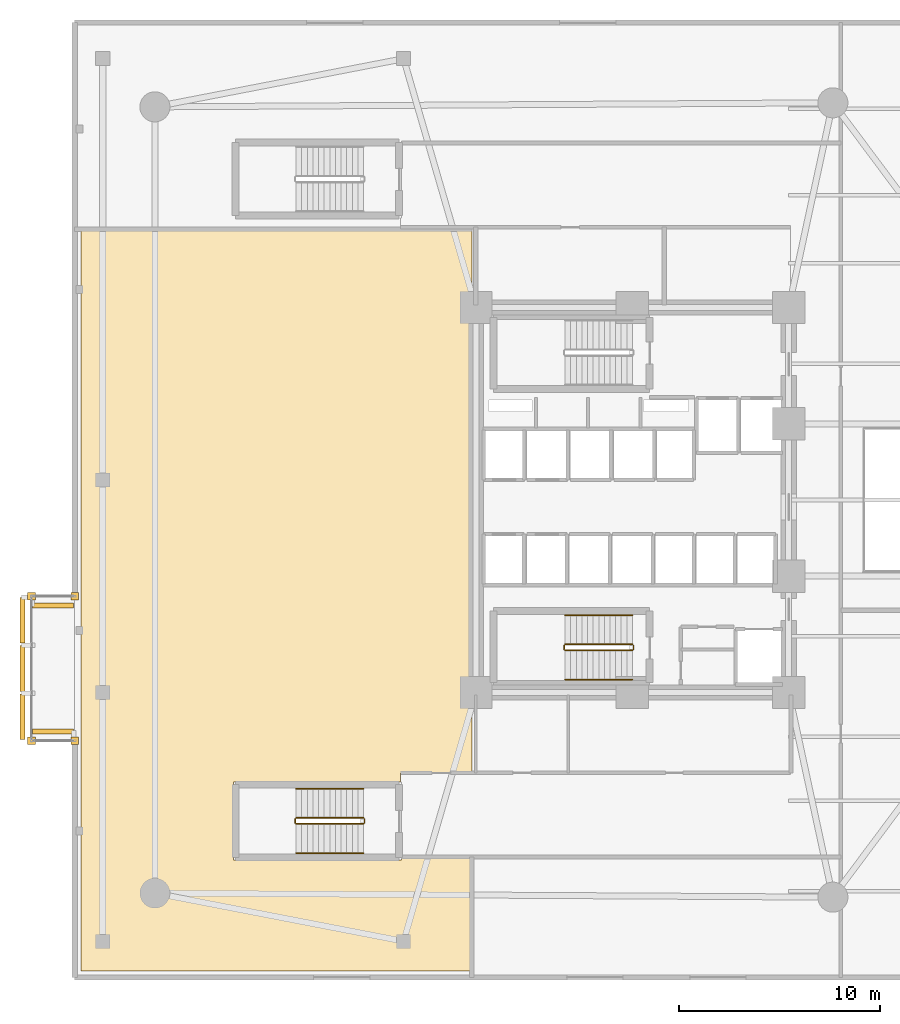
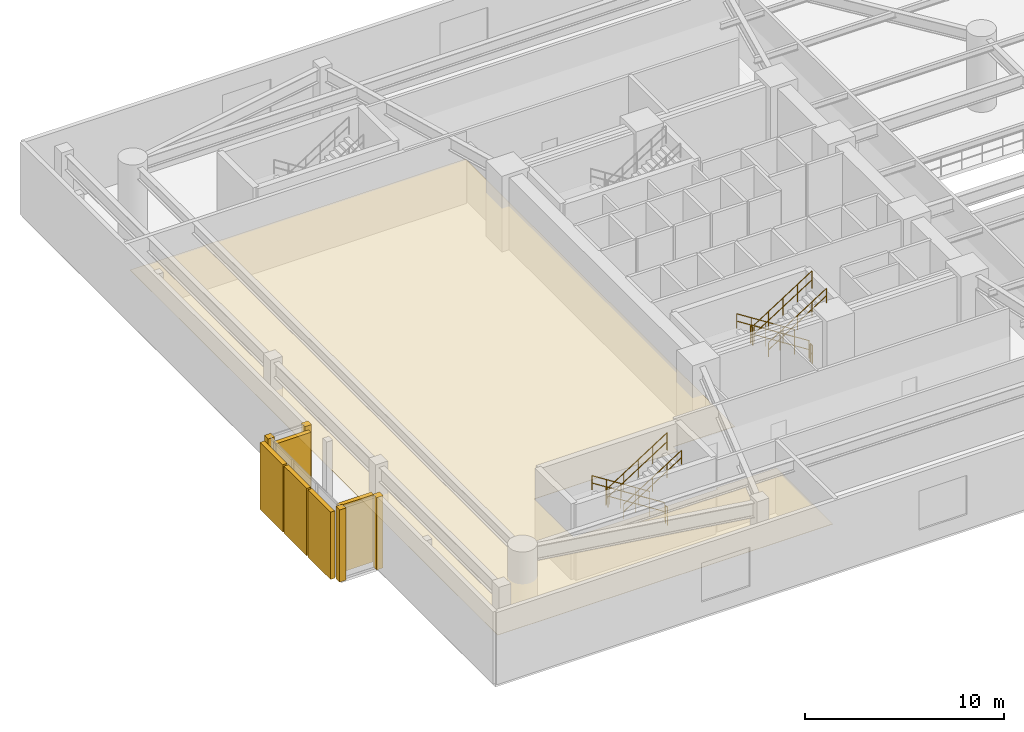
# One storey, part 14 of 16: 12 railings, 5 coverings, 5 shading devices.
"""IFC4 building model written with IfcOpenShell, lengths in metres."""

import ifcopenshell
import ifcopenshell.guid

model = None  # the IFC model being written
_history = None  # IfcOwnerHistory: only IFC2X3 demands one
_inside = {}  # id of a spatial element -> (the spatial element, [elements in it])
_under = {}  # id of a project, library or spatial element -> (it, [spatial elements below it])
_declared = {}  # id of a project -> (the project, [libraries it declares])
_typed = {}  # id of a type object -> (the type object, [elements of that type])
_made_of = {}  # id of a material, layer set ... -> (it, [elements and type objects made of it])


def new_model(schema):
    """Start an empty IFC model of exactly this schema.

    Asked for "IFC4X3", IfcOpenShell would pick the latest addendum, in which some entities
    have other attributes; the version numbers below select the first issue.
    IFC2X3 requires an IfcOwnerHistory on every rooted entity: one is made here for all.
    """
    global model, _history
    if schema == "IFC4X3":
        model = ifcopenshell.file(schema_version=(4, 3, 0, 0))
    else:
        model = ifcopenshell.file(schema=schema)
    _inside.clear()
    _under.clear()
    _declared.clear()
    _typed.clear()
    _made_of.clear()
    _history = None
    if model.schema == "IFC2X3":
        org = make("IfcOrganization", Name="unknown")
        user = make(
            "IfcPersonAndOrganization",
            ThePerson=make("IfcPerson", FamilyName="unknown"),
            TheOrganization=org,
        )
        app = make(
            "IfcApplication",
            ApplicationDeveloper=org,
            Version="unknown",
            ApplicationFullName="unknown",
            ApplicationIdentifier="unknown",
        )
        _history = make(
            "IfcOwnerHistory",
            OwningUser=user,
            OwningApplication=app,
            ChangeAction="ADDED",
            CreationDate=0,
        )
    return model


def make(cls, **values):
    """One entity of the class cls with the attributes given. An attribute that is None is left unset."""
    return model.create_entity(
        cls, **{name: value for name, value in values.items() if value is not None}
    )


def rooted(cls, **values):
    """An entity with a GlobalId (a new one), such as an element, a storey or a relation."""
    return make(cls, GlobalId=ifcopenshell.guid.new(), OwnerHistory=_history, **values)


def si_unit(unit_type, name, prefix=None):
    """IfcSIUnit, for example si_unit("LENGTHUNIT", "METRE", prefix="MILLI")."""
    return make("IfcSIUnit", UnitType=unit_type, Prefix=prefix, Name=name)


def assignment(units):
    """IfcUnitAssignment: the units of a project."""
    return None if units is None else make("IfcUnitAssignment", Units=units)


def point(xyz):
    """IfcCartesianPoint."""
    return None if xyz is None else make("IfcCartesianPoint", Coordinates=xyz)


def direction(xyz):
    """IfcDirection."""
    return None if xyz is None else make("IfcDirection", DirectionRatios=xyz)


def frame(location, z_axis=None, x_axis=None):
    """IfcAxis2Placement3D, a coordinate frame: its origin and axes. An axis left out is left unset."""
    return make(
        "IfcAxis2Placement3D",
        Location=point(location),
        Axis=direction(z_axis),
        RefDirection=direction(x_axis),
    )


def frame_2d(location, x_axis=None):
    """IfcAxis2Placement2D, a coordinate frame in the plane: its origin and x axis."""
    return make(
        "IfcAxis2Placement2D", Location=point(location), RefDirection=direction(x_axis)
    )


def origin():
    """The frame at (0, 0, 0) with its axes left unset."""
    return frame((0.0, 0.0, 0.0))


def origin_2d():
    """The frame at (0, 0) in the plane with its x axis left unset."""
    return frame_2d((0.0, 0.0))


def place(relative_to, where):
    """IfcLocalPlacement: puts the frame where relative to a parent placement (None: the world)."""
    return make(
        "IfcLocalPlacement", PlacementRelTo=relative_to, RelativePlacement=where
    )


def context(
    kind, dimensions, precision=None, world=None, true_north=None, identifier=None
):
    """IfcGeometricRepresentationContext, for example the 3D "Model" context."""
    return make(
        "IfcGeometricRepresentationContext",
        ContextIdentifier=identifier,
        ContextType=kind,
        CoordinateSpaceDimension=dimensions,
        Precision=precision,
        WorldCoordinateSystem=world,
        TrueNorth=true_north,
    )


def subcontext(parent, identifier, kind, view, scale=None):
    """IfcGeometricRepresentationSubContext, for example "Body" below "Model"."""
    return make(
        "IfcGeometricRepresentationSubContext",
        ContextIdentifier=identifier,
        ContextType=kind,
        ParentContext=parent,
        TargetScale=scale,
        TargetView=view,
    )


def project(units=None, contexts=None):
    """IfcProject with its units and contexts."""
    return rooted(
        "IfcProject",
        Name="project",
        RepresentationContexts=contexts,
        UnitsInContext=assignment(units),
    )


def spatial(cls, under=None, at=None, **own):
    """A site, building, storey or space (cls), placed at a placement, below another one or the project."""
    s = rooted(cls, ObjectPlacement=at, **own)
    if under is not None:
        _under.setdefault(under.id(), (under, []))[1].append(s)
    return s


def polyline(points):
    """IfcPolyline through the points."""
    return make("IfcPolyline", Points=[point(p) for p in points])


def profile(cls, at=None, kind="AREA", **sizes):
    """A parametric profile (cls). Its sizes go by their IFC names, for example OverallWidth=200.0."""
    return make(cls, ProfileType=kind, Position=at, **sizes)


def rectangle(**sizes):
    """IfcRectangleProfileDef."""
    return profile("IfcRectangleProfileDef", **sizes)


def circle(**sizes):
    """IfcCircleProfileDef."""
    return profile("IfcCircleProfileDef", **sizes)


def outline(outer, holes=None, kind="AREA"):
    """IfcArbitraryClosedProfileDef: a profile drawn as a closed curve; with holes, ...WithVoids."""
    if holes is None:
        return make("IfcArbitraryClosedProfileDef", ProfileType=kind, OuterCurve=outer)
    return make(
        "IfcArbitraryProfileDefWithVoids",
        ProfileType=kind,
        OuterCurve=outer,
        InnerCurves=holes,
    )


def extrude(swept, where, along, depth):
    """IfcExtrudedAreaSolid: the profile swept, set in the frame where, extruded along a direction by depth."""
    return make(
        "IfcExtrudedAreaSolid",
        SweptArea=swept,
        Position=where,
        ExtrudedDirection=direction(along),
        Depth=depth,
    )


def shape(context_of_items, identifier, shape_type, items):
    """IfcShapeRepresentation: the items that make up one representation, for example the "Body"."""
    return make(
        "IfcShapeRepresentation",
        ContextOfItems=context_of_items,
        RepresentationIdentifier=identifier,
        RepresentationType=shape_type,
        Items=items,
    )


def material(Name=None, Category=None):
    """IfcMaterial."""
    return make("IfcMaterial", Name=Name, Category=Category)


def layer(
    of_material, thickness, ventilated=None, Name=None, Category=None, Priority=None
):
    """IfcMaterialLayer: one layer of a wall or slab, of a material (None: an air gap)."""
    return make(
        "IfcMaterialLayer",
        Material=of_material,
        LayerThickness=thickness,
        IsVentilated=ventilated,
        Name=Name,
        Category=Category,
        Priority=Priority,
    )


def layer_set(layers, Name=None):
    """IfcMaterialLayerSet."""
    return make("IfcMaterialLayerSet", MaterialLayers=layers, LayerSetName=Name)


def made_of(thing, what):
    """Note that an element or type object is made of a material, layer set ...; save() writes the relation."""
    if what is not None:
        _made_of.setdefault(what.id(), (what, []))[1].append(thing)
    return thing


def type_object(cls, material=None, **own):
    """A type object (cls), such as IfcWallType, which elements share."""
    return made_of(rooted(cls, **own), material)


def element(
    cls,
    number,
    at=None,
    inside=None,
    cuts=None,
    type_object=None,
    material=None,
    context=None,
    identifier="Body",
    shape_type=None,
    held_by="IfcProductDefinitionShape",
    body=None,
    shapes=None,
    **own,
):
    """One element of the class cls, such as IfcWall. Its Tag is "e" and its number.

    at: its placement. inside: the storey or other place that contains it. cuts: it is an
    opening in that element (IfcRelVoidsElement). A single representation is given by context,
    identifier, shape_type and body (its items); several are given by shapes. held_by: the class
    of the entity that holds the representations. save() writes the other relations.
    """
    e = rooted(cls, Tag="e%d" % number, ObjectPlacement=at, **own)
    if body is not None:
        shapes = [shape(context, identifier, shape_type, body)]
    if shapes is not None:
        e.Representation = make(held_by, Representations=shapes)
    if inside is not None:
        _inside.setdefault(inside.id(), (inside, []))[1].append(e)
    if cuts is not None:
        rooted(
            "IfcRelVoidsElement", RelatingBuildingElement=cuts, RelatedOpeningElement=e
        )
    if type_object is not None:
        _typed.setdefault(type_object.id(), (type_object, []))[1].append(e)
    return made_of(e, material)


def aggregate(whole, parts):
    """IfcRelAggregates: a whole, such as a stair, and the parts it consists of."""
    return rooted("IfcRelAggregates", RelatingObject=whole, RelatedObjects=parts)


def save(model, path):
    """Write the relations noted so far, then the file.

    IfcRelAggregates (storeys below a building ...), IfcRelContainedInSpatialStructure (elements
    in a storey), IfcRelDefinesByType, IfcRelAssociatesMaterial and IfcRelDeclares: one each for
    every whole, place, type object, material and project.
    """
    for whole, parts in _under.values():
        aggregate(whole, parts)
    for where, things in _inside.values():
        rooted(
            "IfcRelContainedInSpatialStructure",
            RelatedElements=things,
            RelatingStructure=where,
        )
    for kind, things in _typed.values():
        rooted("IfcRelDefinesByType", RelatedObjects=things, RelatingType=kind)
    for what, things in _made_of.values():
        rooted("IfcRelAssociatesMaterial", RelatedObjects=things, RelatingMaterial=what)
    for by, libraries in _declared.values():
        rooted("IfcRelDeclares", RelatingContext=by, RelatedDefinitions=libraries)
    model.write(path)


model = new_model("IFC4")

# Units and contexts
model_context = context("Model", 3, precision=1e-05, world=origin(), true_north=direction((0.0, 1.0)))
body_context = subcontext(model_context, "Body", "Model", "MODEL_VIEW")
ifc_project = project(units=[si_unit("LENGTHUNIT", "METRE"), si_unit("AREAUNIT", "SQUARE_METRE"), si_unit("VOLUMEUNIT", "CUBIC_METRE"), si_unit("PLANEANGLEUNIT", "RADIAN"), si_unit("MASSUNIT", "GRAM", prefix="KILO")], contexts=[model_context])

# Site, building, storey
site_placement = place(None, origin())
site = spatial("IfcSite", under=ifc_project, at=site_placement, CompositionType="ELEMENT")
building_placement = place(site_placement, origin())
building = spatial("IfcBuilding", under=site, at=building_placement, Name="An Khanh Terracotta Commons", CompositionType="ELEMENT")
storey_placement = place(building_placement, frame((0.0, 0.0, 5.39990234375)))
storey = spatial("IfcBuildingStorey", under=building, at=storey_placement, Name="L02", CompositionType="ELEMENT", Elevation=5.39990234375)

# Coverings
ifc_material_1 = material(Name="Perforated Mineral-Fibre Acoustic Tile")
ifc_layer_1 = layer(ifc_material_1, 0.02001953125, Name="Perforated Mineral-Fibre Acoustic Tile")
ifc_layer_set_1 = layer_set([ifc_layer_1], Name="Perforated Mineral-Fibre Acoustic Tile")
covering_type_1 = type_object("IfcCoveringType", Name="CEIL-ACOUSTIC-18", PredefinedType="CEILING", material=ifc_layer_set_1)
covering_placement = place(storey_placement, frame((0.0, 0.0, 2.650146484375)))
element("IfcCovering", 1, at=covering_placement, inside=storey, type_object=covering_type_1, Name="L02 Collaborative Coworking Commons Ceiling", PredefinedType="CEILING", context=body_context, shape_type="SweptSolid", body=[
    extrude(outline(polyline([(1.919921875, 0.52001953125), (1.919921875, 37.5), (21.39990234375, 37.5), (21.39990234375, 10.39990234375), (17.85009765625, 10.39990234375), (17.85009765625, 9.93994140625), (9.510009765625, 9.93994140625), (9.510009765625, 6.06005859375), (17.889892578125, 6.06005859375), (17.889892578125, 6.199951171875), (21.39990234375, 6.199951171875), (21.39990234375, 0.52001953125), (1.919921875, 0.52001953125)])), origin(), (0.0, 0.0, 1.0), 0.02001953125),
])
ifc_material_2 = material(Name="Fired Terracotta Rainscreen Cladding", Category="masonry")
ifc_layer_2 = layer(ifc_material_2, 0.080078125, Name="Fired Terracotta Rainscreen Cladding")
ifc_layer_set_2 = layer_set([ifc_layer_2], Name="Fired Terracotta Rainscreen Cladding")
covering_type_2 = type_object("IfcCoveringType", Name="COV-JAMB-TERRA", PredefinedType="CLADDING", material=ifc_layer_set_2)
for number, where, z_axis, x_axis, name in (
    (2, (-0.550048828125, 19.199951171875, 0.0), (0.0, 0.0, 1.0), (1.0, 0.0, 0.0), "L02 CW-04 Curtain-Wall Jamb Closure JA"),
    (3, (-0.550048828125, 12.0, 0.0), (0.0, 0.0, 1.0), (1.0, 0.0, 0.0), "L02 CW-04 Curtain-Wall Jamb Closure JB"),
    (4, (1.60009765625, 12.0, 0.0), (0.0, 0.0, 1.0), (1.0, 0.0, 0.0), "L02 CW-04 Curtain-Wall Jamb Closure JA"),
    (5, (1.60009765625, 19.199951171875, 0.0), (0.0, 0.0, 1.0), (1.0, 0.0, 0.0), "L02 CW-04 Curtain-Wall Jamb Closure JB"),
):
    element("IfcCovering", number, at=place(storey_placement, frame(where, z_axis=z_axis, x_axis=x_axis)), inside=storey, type_object=covering_type_2, Name=name, PredefinedType="CLADDING", context=body_context, shape_type="SweptSolid", body=[
        extrude(rectangle(XDim=0.3798828125, YDim=0.3798828125, at=origin_2d()), origin(), (0.0, 0.0, 1.0), 4.429931640625),
    ])

# Railings
ifc_material_3 = material(Name="Brushed Stainless Steel 316", Category="steel")
railing_type_1 = type_object("IfcRailingType", Name="RAIL-HANDRAIL-900", PredefinedType="HANDRAIL", material=ifc_material_3)
railing_1_placement = place(storey_placement, frame((29.409912109375, 18.25, 0.178955078125)))
element("IfcRailing", 6, at=railing_1_placement, inside=storey, type_object=railing_type_1, Name="L02 ST-02 stair handrail 1", PredefinedType="HANDRAIL", context=body_context, shape_type="SweptSolid", body=[
    extrude(circle(Radius=0.02392578125, at=origin_2d()), frame((0.0, 0.0, 0.8759765625), z_axis=(-0.842734844946, 0.0, 0.538328878209), x_axis=(0.0, -1.0, 0.0)), (0.0, 0.0, 1.0), 3.98681640625),
    extrude(circle(Radius=0.02392578125, at=origin_2d()), frame((0.0, 0.0, 0.42578125), z_axis=(-0.842734844946, 0.0, 0.538328878209), x_axis=(0.0, -1.0, 0.0)), (0.0, 0.0, 1.0), 3.98681640625),
    extrude(circle(Radius=0.02099609375, at=origin_2d()), origin(), (0.0, 0.0, 1.0), 0.851806640625),
    extrude(circle(Radius=0.02099609375, at=origin_2d()), frame((-0.83984375, 0.0, 0.53662109375)), (0.0, 0.0, 1.0), 0.851806640625),
    extrude(circle(Radius=0.02099609375, at=origin_2d()), frame((-1.679931640625, 0.0, 1.0732421875)), (0.0, 0.0, 1.0), 0.851806640625),
    extrude(circle(Radius=0.02099609375, at=origin_2d()), frame((-2.52001953125, 0.0, 1.609619140625)), (0.0, 0.0, 1.0), 0.851806640625),
    extrude(circle(Radius=0.02099609375, at=origin_2d()), frame((-3.35986328125, 0.0, 2.146240234375)), (0.0, 0.0, 1.0), 0.851806640625),
])
railing_2_placement = place(storey_placement, frame((26.050048828125, 15.050048828125, 2.50390625)))
element("IfcRailing", 7, at=railing_2_placement, inside=storey, type_object=railing_type_1, Name="L02 ST-02 stair handrail 2", PredefinedType="HANDRAIL", context=body_context, shape_type="SweptSolid", body=[
    extrude(circle(Radius=0.02392578125, at=origin_2d()), frame((0.0, 0.0, 0.8759765625), z_axis=(0.842734844946, 0.0, 0.538328878209), x_axis=(0.0, 1.0, 0.0)), (0.0, 0.0, 1.0), 3.98681640625),
    extrude(circle(Radius=0.02392578125, at=origin_2d()), frame((0.0, 0.0, 0.42578125), z_axis=(0.842734844946, 0.0, 0.538328878209), x_axis=(0.0, 1.0, 0.0)), (0.0, 0.0, 1.0), 3.98681640625),
    extrude(circle(Radius=0.02099609375, at=origin_2d()), origin(), (0.0, 0.0, 1.0), 0.851806640625),
    extrude(circle(Radius=0.02099609375, at=origin_2d()), frame((0.83984375, 0.0, 0.53662109375)), (0.0, 0.0, 1.0), 0.851806640625),
    extrude(circle(Radius=0.02099609375, at=origin_2d()), frame((1.679931640625, 0.0, 1.0732421875)), (0.0, 0.0, 1.0), 0.851806640625),
    extrude(circle(Radius=0.02099609375, at=origin_2d()), frame((2.52001953125, 0.0, 1.609619140625)), (0.0, 0.0, 1.0), 0.851806640625),
    extrude(circle(Radius=0.02099609375, at=origin_2d()), frame((3.35986328125, 0.0, 2.146240234375)), (0.0, 0.0, 1.0), 0.851806640625),
])
railing_3_placement = place(storey_placement, frame((16.0, 9.60009765625, 0.178955078125)))
element("IfcRailing", 8, at=railing_3_placement, inside=storey, type_object=railing_type_1, Name="L02 ST-P1 stair handrail 1", PredefinedType="HANDRAIL", context=body_context, shape_type="SweptSolid", body=[
    extrude(circle(Radius=0.02392578125, at=origin_2d()), frame((0.0, 0.0, 0.8759765625), z_axis=(-0.842752589747, 0.0, 0.538301098341), x_axis=(0.0, -1.0, 0.0)), (0.0, 0.0, 1.0), 3.987060546875),
    extrude(circle(Radius=0.02392578125, at=origin_2d()), frame((0.0, 0.0, 0.42578125), z_axis=(-0.842752589747, 0.0, 0.538301098341), x_axis=(0.0, -1.0, 0.0)), (0.0, 0.0, 1.0), 3.987060546875),
    extrude(circle(Radius=0.02099609375, at=origin_2d()), origin(), (0.0, 0.0, 1.0), 0.851806640625),
    extrude(circle(Radius=0.02099609375, at=origin_2d()), frame((-0.840087890625, 0.0, 0.53662109375)), (0.0, 0.0, 1.0), 0.851806640625),
    extrude(circle(Radius=0.02099609375, at=origin_2d()), frame((-1.68017578125, 0.0, 1.0732421875)), (0.0, 0.0, 1.0), 0.851806640625),
    extrude(circle(Radius=0.02099609375, at=origin_2d()), frame((-2.52001953125, 0.0, 1.609619140625)), (0.0, 0.0, 1.0), 0.851806640625),
    extrude(circle(Radius=0.02099609375, at=origin_2d()), frame((-3.360107421875, 0.0, 2.146240234375)), (0.0, 0.0, 1.0), 0.851806640625),
])
railing_4_placement = place(storey_placement, frame((12.639892578125, 6.39990234375, 2.50390625)))
element("IfcRailing", 9, at=railing_4_placement, inside=storey, type_object=railing_type_1, Name="L02 ST-P1 stair handrail 2", PredefinedType="HANDRAIL", context=body_context, shape_type="SweptSolid", body=[
    extrude(circle(Radius=0.02392578125, at=origin_2d()), frame((0.0, 0.0, 0.8759765625), z_axis=(0.842752589747, 0.0, 0.538301098341), x_axis=(0.0, 1.0, 0.0)), (0.0, 0.0, 1.0), 3.987060546875),
    extrude(circle(Radius=0.02392578125, at=origin_2d()), frame((0.0, 0.0, 0.42578125), z_axis=(0.842752589747, 0.0, 0.538301098341), x_axis=(0.0, 1.0, 0.0)), (0.0, 0.0, 1.0), 3.987060546875),
    extrude(circle(Radius=0.02099609375, at=origin_2d()), origin(), (0.0, 0.0, 1.0), 0.851806640625),
    extrude(circle(Radius=0.02099609375, at=origin_2d()), frame((0.840087890625, 0.0, 0.53662109375)), (0.0, 0.0, 1.0), 0.851806640625),
    extrude(circle(Radius=0.02099609375, at=origin_2d()), frame((1.68017578125, 0.0, 1.0732421875)), (0.0, 0.0, 1.0), 0.851806640625),
    extrude(circle(Radius=0.02099609375, at=origin_2d()), frame((2.52001953125, 0.0, 1.609619140625)), (0.0, 0.0, 1.0), 0.851806640625),
    extrude(circle(Radius=0.02099609375, at=origin_2d()), frame((3.360107421875, 0.0, 2.146240234375)), (0.0, 0.0, 1.0), 0.851806640625),
])
ifc_material_4 = material(Name="Powder-Coated Steel S355J2", Category="steel")
railing_type_2 = type_object("IfcRailingType", Name="RAIL-STAIR-GUARD-1100", PredefinedType="BALUSTRADE", material=ifc_material_4)
railing_5_placement = place(storey_placement, frame((29.409912109375, 16.800048828125, 0.178955078125)))
element("IfcRailing", 10, at=railing_5_placement, inside=storey, type_object=railing_type_2, Name="L02 ST-02 stair guard 1", PredefinedType="BALUSTRADE", context=body_context, shape_type="SweptSolid", body=[
    extrude(circle(Radius=0.02392578125, at=origin_2d()), frame((0.0, 0.0, 1.076171875), z_axis=(-0.842734844946, 0.0, 0.538328878209), x_axis=(0.0, -1.0, 0.0)), (0.0, 0.0, 1.0), 3.98681640625),
    extrude(circle(Radius=0.02392578125, at=origin_2d()), frame((0.0, 0.0, 0.52587890625), z_axis=(-0.842734844946, 0.0, 0.538328878209), x_axis=(0.0, -1.0, 0.0)), (0.0, 0.0, 1.0), 3.98681640625),
    extrude(circle(Radius=0.02099609375, at=origin_2d()), origin(), (0.0, 0.0, 1.0), 1.052001953125),
    extrude(circle(Radius=0.02099609375, at=origin_2d()), frame((-0.83984375, 0.0, 0.53662109375)), (0.0, 0.0, 1.0), 1.052001953125),
    extrude(circle(Radius=0.02099609375, at=origin_2d()), frame((-1.679931640625, 0.0, 1.0732421875)), (0.0, 0.0, 1.0), 1.052001953125),
    extrude(circle(Radius=0.02099609375, at=origin_2d()), frame((-2.52001953125, 0.0, 1.609619140625)), (0.0, 0.0, 1.0), 1.052001953125),
    extrude(circle(Radius=0.02099609375, at=origin_2d()), frame((-3.35986328125, 0.0, 2.146240234375)), (0.0, 0.0, 1.0), 1.052001953125),
])
railing_6_placement = place(storey_placement, frame((26.0, 16.75, 2.3251953125)))
element("IfcRailing", 11, at=railing_6_placement, inside=storey, type_object=railing_type_2, Name="L02 ST-02 stair guard 2", PredefinedType="BALUSTRADE", context=body_context, shape_type="SweptSolid", body=[
    extrude(circle(Radius=0.02392578125, at=origin_2d()), frame((0.0, 0.0, 1.076171875), z_axis=(0.0, -1.0, 0.0), x_axis=(1.0, 0.0, 0.0)), (0.0, 0.0, 1.0), 0.199951171875),
    extrude(circle(Radius=0.02392578125, at=origin_2d()), frame((0.0, 0.0, 0.52587890625), z_axis=(0.0, -1.0, 0.0), x_axis=(1.0, 0.0, 0.0)), (0.0, 0.0, 1.0), 0.199951171875),
    extrude(circle(Radius=0.02099609375, at=origin_2d()), origin(), (0.0, 0.0, 1.0), 1.052001953125),
    extrude(circle(Radius=0.02099609375, at=origin_2d()), frame((0.0, -0.199951171875, 0.0)), (0.0, 0.0, 1.0), 1.052001953125),
])
railing_7_placement = place(storey_placement, frame((26.050048828125, 16.5, 2.50390625)))
element("IfcRailing", 12, at=railing_7_placement, inside=storey, type_object=railing_type_2, Name="L02 ST-02 stair guard 3", PredefinedType="BALUSTRADE", context=body_context, shape_type="SweptSolid", body=[
    extrude(circle(Radius=0.02392578125, at=origin_2d()), frame((0.0, 0.0, 1.076171875), z_axis=(0.842734844946, 0.0, 0.538328878209), x_axis=(0.0, 1.0, 0.0)), (0.0, 0.0, 1.0), 3.98681640625),
    extrude(circle(Radius=0.02392578125, at=origin_2d()), frame((0.0, 0.0, 0.52587890625), z_axis=(0.842734844946, 0.0, 0.538328878209), x_axis=(0.0, 1.0, 0.0)), (0.0, 0.0, 1.0), 3.98681640625),
    extrude(circle(Radius=0.02099609375, at=origin_2d()), origin(), (0.0, 0.0, 1.0), 1.052001953125),
    extrude(circle(Radius=0.02099609375, at=origin_2d()), frame((0.83984375, 0.0, 0.53662109375)), (0.0, 0.0, 1.0), 1.052001953125),
    extrude(circle(Radius=0.02099609375, at=origin_2d()), frame((1.679931640625, 0.0, 1.0732421875)), (0.0, 0.0, 1.0), 1.052001953125),
    extrude(circle(Radius=0.02099609375, at=origin_2d()), frame((2.52001953125, 0.0, 1.609619140625)), (0.0, 0.0, 1.0), 1.052001953125),
    extrude(circle(Radius=0.02099609375, at=origin_2d()), frame((3.35986328125, 0.0, 2.146240234375)), (0.0, 0.0, 1.0), 1.052001953125),
])
railing_8_placement = place(storey_placement, frame((29.4599609375, 16.75, 0.0)))
element("IfcRailing", 13, at=railing_8_placement, inside=storey, type_object=railing_type_2, Name="L02 ST-02 stair guard 4", PredefinedType="BALUSTRADE", context=body_context, shape_type="SweptSolid", body=[
    extrude(circle(Radius=0.02392578125, at=origin_2d()), frame((0.0, 0.0, 1.076171875), z_axis=(0.0, -1.0, 0.0), x_axis=(1.0, 0.0, 0.0)), (0.0, 0.0, 1.0), 0.199951171875),
    extrude(circle(Radius=0.02392578125, at=origin_2d()), frame((0.0, 0.0, 0.52587890625), z_axis=(0.0, -1.0, 0.0), x_axis=(1.0, 0.0, 0.0)), (0.0, 0.0, 1.0), 0.199951171875),
    extrude(circle(Radius=0.02099609375, at=origin_2d()), origin(), (0.0, 0.0, 1.0), 1.052001953125),
    extrude(circle(Radius=0.02099609375, at=origin_2d()), frame((0.0, -0.199951171875, 0.0)), (0.0, 0.0, 1.0), 1.052001953125),
])
railing_9_placement = place(storey_placement, frame((16.0, 8.14990234375, 0.178955078125)))
element("IfcRailing", 14, at=railing_9_placement, inside=storey, type_object=railing_type_2, Name="L02 ST-P1 stair guard 1", PredefinedType="BALUSTRADE", context=body_context, shape_type="SweptSolid", body=[
    extrude(circle(Radius=0.02392578125, at=origin_2d()), frame((0.0, 0.0, 1.076171875), z_axis=(-0.842752589747, 0.0, 0.538301098341), x_axis=(0.0, -1.0, 0.0)), (0.0, 0.0, 1.0), 3.987060546875),
    extrude(circle(Radius=0.02392578125, at=origin_2d()), frame((0.0, 0.0, 0.52587890625), z_axis=(-0.842752589747, 0.0, 0.538301098341), x_axis=(0.0, -1.0, 0.0)), (0.0, 0.0, 1.0), 3.987060546875),
    extrude(circle(Radius=0.02099609375, at=origin_2d()), origin(), (0.0, 0.0, 1.0), 1.052001953125),
    extrude(circle(Radius=0.02099609375, at=origin_2d()), frame((-0.840087890625, 0.0, 0.53662109375)), (0.0, 0.0, 1.0), 1.052001953125),
    extrude(circle(Radius=0.02099609375, at=origin_2d()), frame((-1.68017578125, 0.0, 1.0732421875)), (0.0, 0.0, 1.0), 1.052001953125),
    extrude(circle(Radius=0.02099609375, at=origin_2d()), frame((-2.52001953125, 0.0, 1.609619140625)), (0.0, 0.0, 1.0), 1.052001953125),
    extrude(circle(Radius=0.02099609375, at=origin_2d()), frame((-3.360107421875, 0.0, 2.146240234375)), (0.0, 0.0, 1.0), 1.052001953125),
])
railing_10_placement = place(storey_placement, frame((12.590087890625, 8.10009765625, 2.3251953125)))
element("IfcRailing", 15, at=railing_10_placement, inside=storey, type_object=railing_type_2, Name="L02 ST-P1 stair guard 2", PredefinedType="BALUSTRADE", context=body_context, shape_type="SweptSolid", body=[
    extrude(circle(Radius=0.02392578125, at=origin_2d()), frame((0.0, 0.0, 1.076171875), z_axis=(0.0, -1.0, 0.0), x_axis=(1.0, 0.0, 0.0)), (0.0, 0.0, 1.0), 0.2001953125),
    extrude(circle(Radius=0.02392578125, at=origin_2d()), frame((0.0, 0.0, 0.52587890625), z_axis=(0.0, -1.0, 0.0), x_axis=(1.0, 0.0, 0.0)), (0.0, 0.0, 1.0), 0.2001953125),
    extrude(circle(Radius=0.02099609375, at=origin_2d()), origin(), (0.0, 0.0, 1.0), 1.052001953125),
    extrude(circle(Radius=0.02099609375, at=origin_2d()), frame((0.0, -0.2001953125, 0.0)), (0.0, 0.0, 1.0), 1.052001953125),
])
railing_11_placement = place(storey_placement, frame((12.639892578125, 7.85009765625, 2.50390625)))
element("IfcRailing", 16, at=railing_11_placement, inside=storey, type_object=railing_type_2, Name="L02 ST-P1 stair guard 3", PredefinedType="BALUSTRADE", context=body_context, shape_type="SweptSolid", body=[
    extrude(circle(Radius=0.02392578125, at=origin_2d()), frame((0.0, 0.0, 1.076171875), z_axis=(0.842752589747, 0.0, 0.538301098341), x_axis=(0.0, 1.0, 0.0)), (0.0, 0.0, 1.0), 3.987060546875),
    extrude(circle(Radius=0.02392578125, at=origin_2d()), frame((0.0, 0.0, 0.52587890625), z_axis=(0.842752589747, 0.0, 0.538301098341), x_axis=(0.0, 1.0, 0.0)), (0.0, 0.0, 1.0), 3.987060546875),
    extrude(circle(Radius=0.02099609375, at=origin_2d()), origin(), (0.0, 0.0, 1.0), 1.052001953125),
    extrude(circle(Radius=0.02099609375, at=origin_2d()), frame((0.840087890625, 0.0, 0.53662109375)), (0.0, 0.0, 1.0), 1.052001953125),
    extrude(circle(Radius=0.02099609375, at=origin_2d()), frame((1.68017578125, 0.0, 1.0732421875)), (0.0, 0.0, 1.0), 1.052001953125),
    extrude(circle(Radius=0.02099609375, at=origin_2d()), frame((2.52001953125, 0.0, 1.609619140625)), (0.0, 0.0, 1.0), 1.052001953125),
    extrude(circle(Radius=0.02099609375, at=origin_2d()), frame((3.360107421875, 0.0, 2.146240234375)), (0.0, 0.0, 1.0), 1.052001953125),
])
railing_12_placement = place(storey_placement, frame((16.050048828125, 8.10009765625, 0.0)))
element("IfcRailing", 17, at=railing_12_placement, inside=storey, type_object=railing_type_2, Name="L02 ST-P1 stair guard 4", PredefinedType="BALUSTRADE", context=body_context, shape_type="SweptSolid", body=[
    extrude(circle(Radius=0.02392578125, at=origin_2d()), frame((0.0, 0.0, 1.076171875), z_axis=(0.0, -1.0, 0.0), x_axis=(1.0, 0.0, 0.0)), (0.0, 0.0, 1.0), 0.2001953125),
    extrude(circle(Radius=0.02392578125, at=origin_2d()), frame((0.0, 0.0, 0.52587890625), z_axis=(0.0, -1.0, 0.0), x_axis=(1.0, 0.0, 0.0)), (0.0, 0.0, 1.0), 0.2001953125),
    extrude(circle(Radius=0.02099609375, at=origin_2d()), origin(), (0.0, 0.0, 1.0), 1.052001953125),
    extrude(circle(Radius=0.02099609375, at=origin_2d()), frame((0.0, -0.2001953125, 0.0)), (0.0, 0.0, 1.0), 1.052001953125),
])

# Shading devices
ifc_material_5 = material(Name="Warm Hardwood Timber-Finish Aluminium", Category="wood")
shading_device_type = type_object("IfcShadingDeviceType", Name="Shifted Box Timber-Toned Louvre Screen", PredefinedType="USERDEFINED", material=ifc_material_5)
for number, where, z_axis, x_axis, name in (
    (18, (-1.0, 18.0, 0.150146484375), (0.0, 0.0, 1.0), (0.0, -1.0, 0.0), "L02 Louvre Screen 1"),
    (19, (-1.0, 15.60009765625, 0.150146484375), (0.0, 0.0, 1.0), (0.0, -1.0, 0.0), "L02 Louvre Screen 2"),
    (20, (-1.0, 13.199951171875, 0.150146484375), (0.0, 0.0, 1.0), (0.0, -1.0, 0.0), "L02 Louvre Screen 3"),
):
    element("IfcShadingDevice", number, at=place(storey_placement, frame(where, z_axis=z_axis, x_axis=x_axis)), inside=storey, type_object=shading_device_type, Name=name, ObjectType="LOUVRE", PredefinedType="USERDEFINED", context=body_context, shape_type="SweptSolid", body=[
        extrude(rectangle(XDim=2.280029296875, YDim=0.25, at=origin_2d()), origin(), (0.0, 0.0, 1.0), 4.1298828125),
    ])
for number, where, z_axis, x_axis, name in (
    (21, (0.52490234375, 12.449951171875, 0.150146484375), (0.0, 0.0, 1.0), (-1.0, 0.0, 0.0), "L02 Louvre Screen 1"),
    (22, (0.52490234375, 18.75, 0.150146484375), (0.0, 0.0, 1.0), (1.0, 0.0, 0.0), "L02 Louvre Screen 1"),
):
    element("IfcShadingDevice", number, at=place(storey_placement, frame(where, z_axis=z_axis, x_axis=x_axis)), inside=storey, type_object=shading_device_type, Name=name, ObjectType="LOUVRE", PredefinedType="USERDEFINED", context=body_context, shape_type="SweptSolid", body=[
        extrude(rectangle(XDim=2.030029296875, YDim=0.25, at=origin_2d()), origin(), (0.0, 0.0, 1.0), 4.1298828125),
    ])

save(model, "model.ifc")
